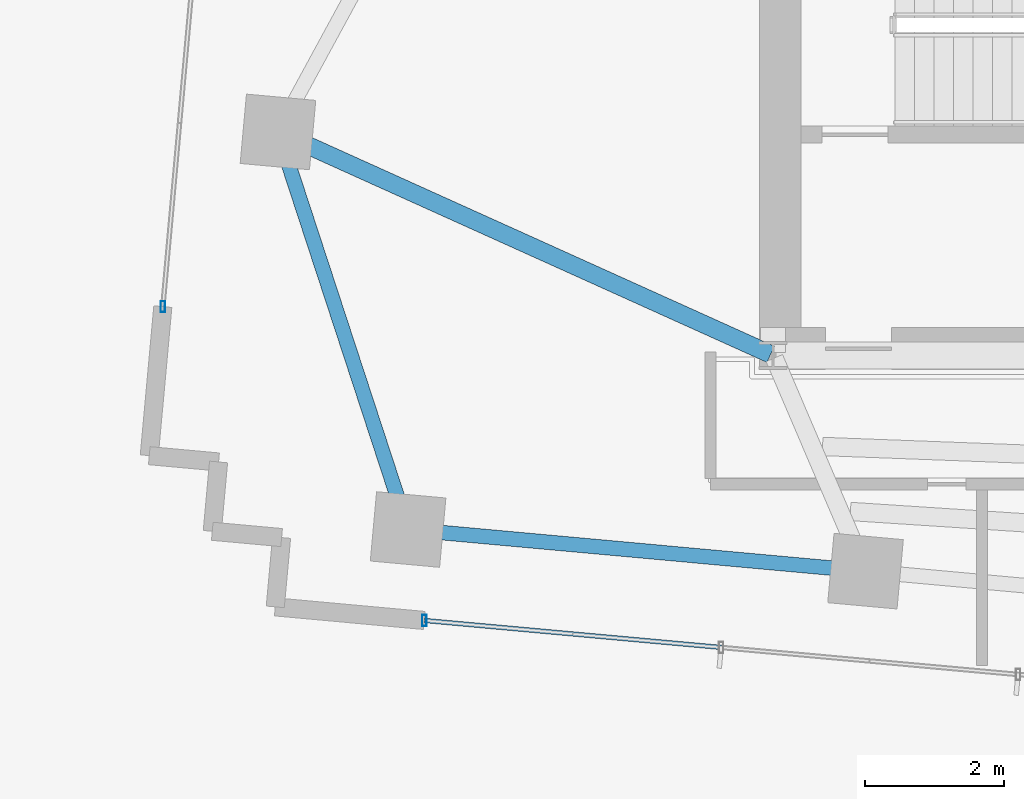
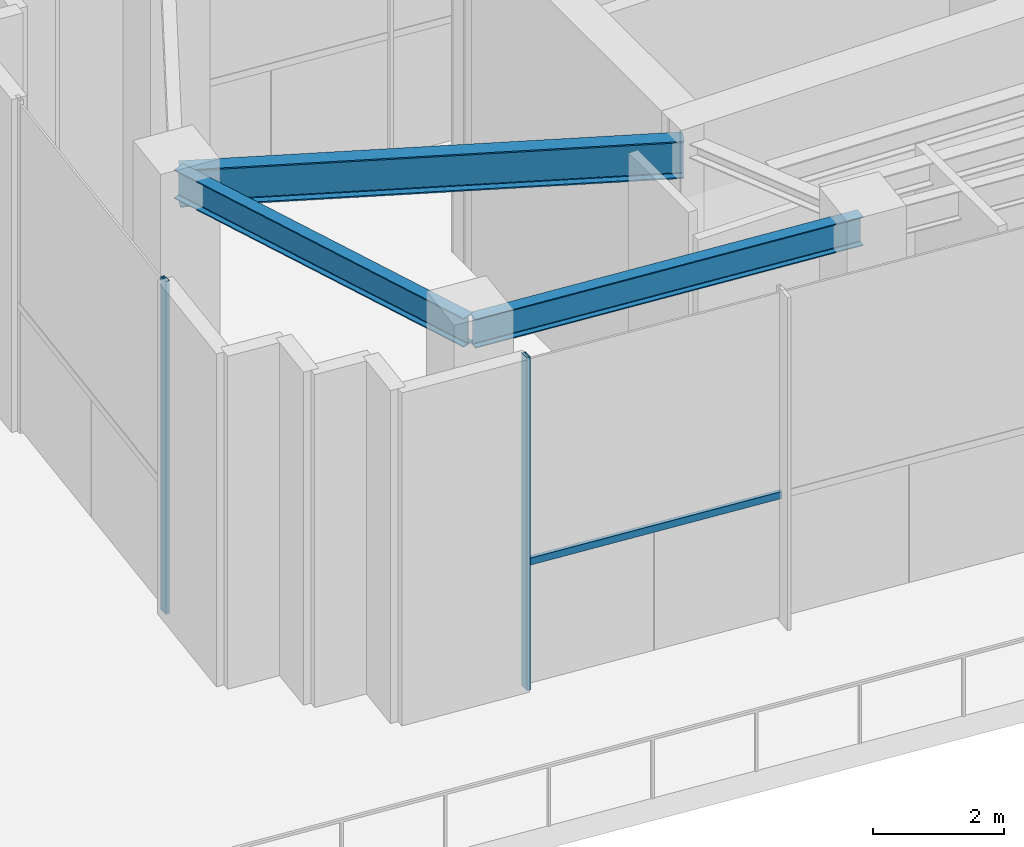
# One storey, part 2 of 18: 3 beams, 3 members, 2 elements without a shape of their own.
"""IFC4 building model written with IfcOpenShell, lengths in metres."""

from ifc_helpers import new_model, si_unit, direction, frame, origin, origin_2d, place, context, subcontext, project, spatial, hollow_rectangle, i_section, extrude, source, transform, mapped, material, material_profile, profile_set, type_object, type_shapes, element, aggregate, save


model = new_model("IFC4")

# Units and contexts
model_context = context("Model", 3, precision=1e-05, world=origin(), true_north=direction((0.0, 1.0)))
body_context = subcontext(model_context, "Body", "Model", "MODEL_VIEW")
ifc_project = project(units=[si_unit("LENGTHUNIT", "METRE"), si_unit("AREAUNIT", "SQUARE_METRE"), si_unit("VOLUMEUNIT", "CUBIC_METRE"), si_unit("PLANEANGLEUNIT", "RADIAN"), si_unit("MASSUNIT", "GRAM", prefix="KILO")], contexts=[model_context])

# Site, building, storey
site_placement = place(None, origin())
site = spatial("IfcSite", under=ifc_project, at=site_placement, CompositionType="ELEMENT")
building_placement = place(site_placement, origin())
building = spatial("IfcBuilding", under=site, at=building_placement, Name="Astriad Promenade Condominiums", CompositionType="ELEMENT")
storey_placement = place(building_placement, frame((0.0, 0.0, 264.300048828125)))
storey = spatial("IfcBuildingStorey", under=building, at=storey_placement, Name="L76", CompositionType="ELEMENT", Elevation=264.300048828125)

# Beams
ifc_material_1 = material(Name="Steel ASTM A992 Grade 50", Category="steel")
ifc_material_profile_1 = material_profile(ifc_material_1, i_section(OverallWidth=0.210693359375, OverallDepth=0.53955078125, WebThickness=0.01171875, FlangeThickness=0.018798828125, FilletRadius=0.0166015625, at=origin_2d()), Name="W21X73")
ifc_profile_set_1 = profile_set([ifc_material_profile_1], Name="Steel ASTM A992 Grade 50")
beam_type_1 = type_object("IfcBeamType", Name="STEEL SPANDREL BEAM W21X73", PredefinedType="SPANDREL", material=ifc_profile_set_1)
shared_shape_1 = source(origin(), body_context, "Body", "SweptSolid", [
    extrude(i_section(OverallWidth=0.210693359375, OverallDepth=0.53955078125, WebThickness=0.01171875, FlangeThickness=0.018798828125, FilletRadius=0.0166015625, at=origin_2d()), origin(), (0.0, 0.0, 1.0), 6.52001953125),
])
beam_1_placement = place(storey_placement, frame((21.19384765625, 14.8955078125, 5.93017578125), z_axis=(0.995882457091, -0.090653911438, 0.0), x_axis=(0.090653911438, 0.995882457091, 0.0)))
element("IfcBeam", 1, at=beam_1_placement, inside=storey, type_object=beam_type_1, Name="Perimeter Spandrel Beam SP-S1-L76", PredefinedType="SPANDREL", context=body_context, shape_type="MappedRepresentation", body=[
    mapped(shared_shape_1, transform((0.0, 0.0, 0.0), scale=1.0)),
])
shared_shape_2 = source(origin(), body_context, "Body", "SweptSolid", [
    extrude(i_section(OverallWidth=0.210693359375, OverallDepth=0.53955078125, WebThickness=0.01171875, FlangeThickness=0.018798828125, FilletRadius=0.0166015625, at=origin_2d()), origin(), (0.0, 0.0, 1.0), 5.931640625),
])
type_shapes(beam_type_1, [shared_shape_1, shared_shape_2])
beam_2_placement = place(storey_placement, frame((19.29638671875, 20.57421875, 5.93017578125), z_axis=(0.3110863773, -0.950381642215, 0.0), x_axis=(0.950381642215, 0.3110863773, 0.0)))
element("IfcBeam", 2, at=beam_2_placement, inside=storey, type_object=beam_type_1, Name="Perimeter Spandrel Beam SP-W1-L76", PredefinedType="SPANDREL", context=body_context, shape_type="MappedRepresentation", body=[
    mapped(shared_shape_2, transform((0.0, 0.0, 0.0), scale=1.0)),
])
ifc_material_profile_2 = material_profile(ifc_material_1, i_section(OverallWidth=0.255859375, OverallDepth=0.693115234375, WebThickness=0.014404296875, FlangeThickness=0.023681640625, FilletRadius=0.020263671875, at=origin_2d()), Name="W27X114")
ifc_profile_set_2 = profile_set([ifc_material_profile_2], Name="Steel ASTM A992 Grade 50")
beam_type_2 = type_object("IfcBeamType", Name="STEEL FLOOR GIRDER W27X114", PredefinedType="BEAM", material=ifc_profile_set_2)
shared_shape_3 = source(origin(), body_context, "Body", "SweptSolid", [
    extrude(i_section(OverallWidth=0.255859375, OverallDepth=0.693115234375, WebThickness=0.014404296875, FlangeThickness=0.023681640625, FilletRadius=0.020263671875, at=origin_2d()), origin(), (0.0, 0.0, 1.0), 7.727294921875),
])
type_shapes(beam_type_2, [shared_shape_3])
beam_3_placement = place(storey_placement, frame((19.320556640625, 20.595703125, 5.853271484375), z_axis=(0.911443223183, -0.411425875357, 0.0), x_axis=(0.411425875357, 0.911443223183, 0.0)))
element("IfcBeam", 3, at=beam_3_placement, inside=storey, type_object=beam_type_2, Name="Primary Floor Girder PG-WM-L76", PredefinedType="BEAM", context=body_context, shape_type="MappedRepresentation", body=[
    mapped(shared_shape_3, transform((0.0, 0.0, 0.0), scale=1.0)),
])

# Curtain wall, member
ifc_material_2 = material(Name="Anodised aluminium Black Dark Glass Unitised", Category="aluminium")
curtain_wall_type = type_object("IfcCurtainWallType", Name="CW-TMD-LANTERN", PredefinedType="USERDEFINED", material=ifc_material_2)
curtain_wall_1_placement = place(storey_placement, origin())
curtain_wall_1 = element("IfcCurtainWall", 4, at=curtain_wall_1_placement, inside=storey, type_object=curtain_wall_type, Name="CW-LNT-L76-03-1", ObjectType="UNITISED_CURTAIN_WALL", PredefinedType="USERDEFINED")
ifc_material_3 = material(Name="Anodised aluminium 6063-T6 Black", Category="aluminium")
ifc_material_profile_3 = material_profile(ifc_material_3, hollow_rectangle(XDim=0.06494140625, YDim=0.159912109375, WallThickness=0.00390625, at=origin_2d()), Name="ALU-MUL-65X160")
ifc_profile_set_3 = profile_set([ifc_material_profile_3], Name="Anodised aluminium 6063-T6 Black")
member_type_1 = type_object("IfcMemberType", Name="MUL-ALU-MUL-65X160", PredefinedType="MULLION", material=ifc_profile_set_3)
shared_shape_4 = source(origin(), body_context, "Body", "SweptSolid", [
    extrude(hollow_rectangle(XDim=0.06494140625, YDim=0.159912109375, WallThickness=0.00390625, at=origin_2d()), origin(), (0.0, 0.0, 1.0), 6.199951171875),
])
type_shapes(member_type_1, [shared_shape_4])
member_1_placement = place(storey_placement, frame((17.6298828125, 18.101806640625, 0.0), z_axis=(0.0, 0.0, 1.0), x_axis=(1.0, 0.0, 0.0)))
member_1 = element("IfcMember", 5, at=member_1_placement, type_object=member_type_1, Name="CW-LNT-L76-03-1-MUL-00", PredefinedType="MULLION", context=body_context, shape_type="MappedRepresentation", body=[
    mapped(shared_shape_4, transform((0.0, 0.0, 0.0), scale=1.0)),
])
aggregate(curtain_wall_1, [member_1])

# Curtain wall, members
curtain_wall_2_placement = place(storey_placement, origin())
curtain_wall_2 = element("IfcCurtainWall", 6, at=curtain_wall_2_placement, inside=storey, type_object=curtain_wall_type, Name="CW-LNT-L76-18-1", ObjectType="UNITISED_CURTAIN_WALL", PredefinedType="USERDEFINED")
member_2_placement = place(storey_placement, frame((21.386474609375, 13.5927734375, 0.0), z_axis=(0.0, 0.0, 1.0), x_axis=(1.0, 0.0, 0.0)))
member_2 = element("IfcMember", 7, at=member_2_placement, type_object=member_type_1, Name="CW-LNT-L76-18-1-MUL-06", PredefinedType="MULLION", context=body_context, shape_type="MappedRepresentation", body=[
    mapped(shared_shape_4, transform((0.0, 0.0, 0.0), scale=1.0)),
])
ifc_material_profile_4 = material_profile(ifc_material_3, hollow_rectangle(XDim=0.06494140625, YDim=0.1298828125, WallThickness=0.00390625, at=origin_2d()), Name="ALU-TRN-65X130")
ifc_profile_set_4 = profile_set([ifc_material_profile_4], Name="Anodised aluminium 6063-T6 Black")
member_type_2 = type_object("IfcMemberType", Name="TRN-ALU-TRN-65X130", PredefinedType="USERDEFINED", material=ifc_profile_set_4)
shared_shape_5 = source(origin(), body_context, "Body", "SweptSolid", [
    extrude(hollow_rectangle(XDim=0.06494140625, YDim=0.1298828125, WallThickness=0.00390625, at=origin_2d()), origin(), (0.0, 0.0, 1.0), 4.283203125),
])
type_shapes(member_type_2, [shared_shape_5])
member_3_placement = place(storey_placement, frame((25.652099609375, 13.20458984375, 2.349853515625), z_axis=(-0.995884792497, 0.090628252065, 0.0), x_axis=(-0.090628252065, -0.995884792497, 0.0)))
member_3 = element("IfcMember", 8, at=member_3_placement, type_object=member_type_2, Name="CW-LNT-L76-18-1-TRN-05-0", ObjectType="TRANSOM", PredefinedType="USERDEFINED", context=body_context, shape_type="MappedRepresentation", body=[
    mapped(shared_shape_5, transform((0.0, 0.0, 0.0), scale=1.0)),
])
aggregate(curtain_wall_2, [member_2, member_3])

save(model, "model.ifc")
